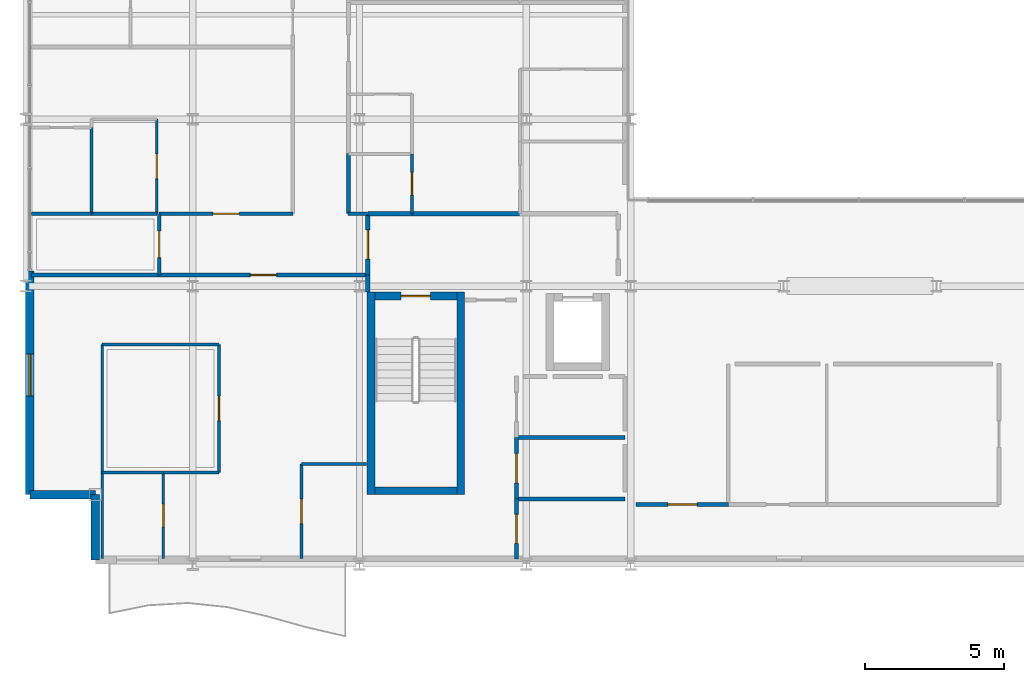
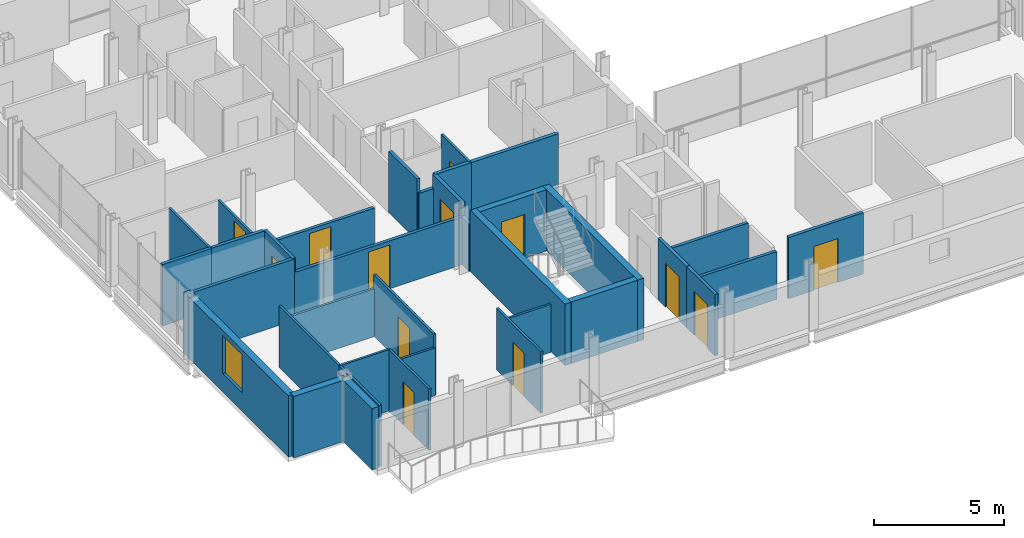
# One storey, part 31 of 41: 36 walls, 13 doors, 1 window, 14 openings.
"""IFC4 building model written with IfcOpenShell, lengths in metres."""

from ifc_helpers import new_model, si_unit, direction, frame, frame_2d, origin, place, context, subcontext, project, spatial, rectangle, extrude, material, layer, layer_set, type_object, element, fill, save


model = new_model("IFC4")

# Units and contexts
model_context = context("Model", 3, precision=1e-05, world=origin(), true_north=direction((0.0, 1.0)))
body_context = subcontext(model_context, "Body", "Model", "MODEL_VIEW")
ifc_project = project(units=[si_unit("LENGTHUNIT", "METRE"), si_unit("AREAUNIT", "SQUARE_METRE"), si_unit("VOLUMEUNIT", "CUBIC_METRE"), si_unit("PLANEANGLEUNIT", "RADIAN"), si_unit("MASSUNIT", "GRAM", prefix="KILO")], contexts=[model_context])

# Site, building, storey
site_placement = place(None, origin())
site = spatial("IfcSite", under=ifc_project, at=site_placement, CompositionType="ELEMENT")
building_placement = place(site_placement, origin())
building = spatial("IfcBuilding", under=site, at=building_placement, Name="Brevholm Reach", CompositionType="ELEMENT")
storey_placement = place(building_placement, frame((0.0, 0.0, 106.60009765625)))
storey = spatial("IfcBuildingStorey", under=building, at=storey_placement, Name="L31", CompositionType="ELEMENT", Elevation=106.60009765625)

# Walls
ifc_material_1 = material(Name="Concrete C50/60", Category="concrete")
ifc_layer_1 = layer(ifc_material_1, 0.280029296875)
ifc_layer_set_1 = layer_set([ifc_layer_1], Name="Concrete C50/60")
wall_type_1 = type_object("IfcWallType", Name="WAL-COR-280", PredefinedType="SHEAR", material=ifc_layer_set_1)
for number, where, z_axis, x_axis, name in (
    (1, (12.409912109375, 2.5, 0.0), (0.0, 0.0, 1.0), (0.0, 1.0, 0.0), "L31 Escape Stair ST-1 Core Wall W"),
    (2, (15.639892578125, 2.5, 0.0), (0.0, 0.0, 1.0), (0.0, 1.0, 0.0), "L31 Escape Stair ST-1 Core Wall E"),
):
    element("IfcWall", number, at=place(storey_placement, frame(where, z_axis=z_axis, x_axis=x_axis)), inside=storey, type_object=wall_type_1, Name=name, PredefinedType="SHEAR", context=body_context, shape_type="SweptSolid", body=[
        extrude(rectangle(XDim=7.280029296875, YDim=0.280029296875, at=frame_2d((3.64013671875, 0.0))), origin(), (0.0, 0.0, 1.0), 2.8798828125),
    ])
wall_1_placement = place(storey_placement, frame((12.550048828125, 2.639892578125, 0.0), z_axis=(0.0, 0.0, 1.0), x_axis=(1.0, 0.0, 0.0)))
element("IfcWall", 3, at=wall_1_placement, inside=storey, type_object=wall_type_1, Name="L31 Escape Stair ST-1 Core Wall S", PredefinedType="SHEAR", context=body_context, shape_type="SweptSolid", body=[
    extrude(rectangle(XDim=2.949951171875, YDim=0.280029296875, at=frame_2d((1.47509765625, 0.0))), origin(), (0.0, 0.0, 1.0), 2.8798828125),
])

# Wall, opening, door
wall_2_placement = place(storey_placement, frame((15.5, 9.639892578125, 0.0), z_axis=(0.0, 0.0, 1.0), x_axis=(-1.0, 0.0, 0.0)))
wall_2 = element("IfcWall", 4, at=wall_2_placement, inside=storey, type_object=wall_type_1, Name="L31 Escape Stair ST-1 Core Wall N", PredefinedType="SHEAR", context=body_context, shape_type="SweptSolid", body=[
    extrude(rectangle(XDim=2.949951171875, YDim=0.280029296875, at=frame_2d((1.47509765625, 0.0))), origin(), (0.0, 0.0, 1.0), 2.8798828125),
])
opening_1_placement = place(wall_2_placement, frame((0.949951171875, 0.0, 0.0)))
opening_1 = element("IfcOpeningElement", 5, at=opening_1_placement, cuts=wall_2, Name="Opening SD-ST-1", PredefinedType="OPENING", context=body_context, shape_type="SweptSolid", body=[
    extrude(rectangle(XDim=1.050048828125, YDim=2.06005859375, at=frame_2d((0.52490234375, 1.030029296875))), frame((0.0, 0.14990234375, 0.0), z_axis=(0.0, -1.0, 0.0), x_axis=(1.0, 0.0, 0.0)), (0.0, 0.0, 1.0), 0.300048828125),
])
ifc_material_2 = material(Name="Hardwood-Lipped Steel-Core Fire and Smoke Door", Category="steel")
door_type_1 = type_object("IfcDoorType", Name="DOR-INT-FD60S", OperationType="NOTDEFINED", PredefinedType="DOOR", material=ifc_material_2)
door_1_placement = place(opening_1_placement, origin())
door_1 = element("IfcDoor", 6, at=door_1_placement, inside=storey, type_object=door_type_1, Name="L31 Protected Stair ST-1 Lobby Door", OperationType="SINGLE_SWING_LEFT", OverallHeight=2.06005859375, OverallWidth=1.050048828125, PredefinedType="DOOR", context=body_context, shape_type="SweptSolid", body=[
    extrude(rectangle(XDim=1.050048828125, YDim=2.06005859375, at=frame_2d((0.52490234375, 1.030029296875))), frame((0.0, 0.02490234375, 0.0), z_axis=(0.0, -1.0, 0.0), x_axis=(1.0, 0.0, 0.0)), (0.0, 0.0, 1.0), 0.050048828125),
])
fill(opening_1, door_1)

# Walls
ifc_material_3 = material(Name="Concrete C40/50", Category="concrete")
ifc_layer_2 = layer(ifc_material_3, 0.300048828125)
ifc_layer_set_2 = layer_set([ifc_layer_2], Name="Concrete C40/50")
wall_type_2 = type_object("IfcWallType", Name="WAL-EXT-300", PredefinedType="STANDARD", material=ifc_layer_set_2)
for number, where, z_axis, x_axis, name in (
    (7, (2.5, 2.5, 0.0), (0.0, 0.0, 1.0), (0.0, -1.0, 0.0), "L31 Facade Wall WAL-L31-CSW1"),
    (8, (0.14990234375, 2.5, 0.0), (0.0, 0.0, 1.0), (1.0, 0.0, 0.0), "L31 Facade Wall WAL-L31-CSW2"),
):
    element("IfcWall", number, at=place(storey_placement, frame(where, z_axis=z_axis, x_axis=x_axis)), inside=storey, type_object=wall_type_2, Name=name, PredefinedType="STANDARD", context=body_context, shape_type="SweptSolid", body=[
        extrude(rectangle(XDim=2.35009765625, YDim=0.300048828125, at=frame_2d((1.175048828125, 0.0))), origin(), (0.0, 0.0, 1.0), 2.8798828125),
    ])

# Wall, opening, window
wall_3_placement = place(storey_placement, frame((0.14990234375, 10.550048828125, 0.0), z_axis=(0.0, 0.0, 1.0), x_axis=(0.0, -1.0, 0.0)))
wall_3 = element("IfcWall", 9, at=wall_3_placement, inside=storey, type_object=wall_type_2, Name="L31 Facade Wall WAL-L31-W-S", PredefinedType="STANDARD", context=body_context, shape_type="SweptSolid", body=[
    extrude(rectangle(XDim=8.050048828125, YDim=0.300048828125, at=frame_2d((4.02490234375, 0.0))), origin(), (0.0, 0.0, 1.0), 2.8798828125),
])
opening_2_placement = place(wall_3_placement, frame((3.0, 0.0, 0.860107421875)))
opening_2 = element("IfcOpeningElement", 10, at=opening_2_placement, cuts=wall_3, Name="Opening WN-05", PredefinedType="OPENING", context=body_context, shape_type="SweptSolid", body=[
    extrude(rectangle(XDim=1.5, YDim=1.800048828125, at=frame_2d((0.75, 0.89990234375))), frame((0.0, 0.159912109375, 0.0), z_axis=(0.0, -1.0, 0.0), x_axis=(1.0, 0.0, 0.0)), (0.0, 0.0, 1.0), 0.320068359375),
])
ifc_material_4 = material(Name="Dark Anodised Aluminium and Solar-Control IGU Glass", Category="aluminium")
window_type = type_object("IfcWindowType", Name="WIN-RES-1500", PartitioningType="SINGLE_PANEL", PredefinedType="WINDOW", material=ifc_material_4)
window_placement = place(opening_2_placement, origin())
window = element("IfcWindow", 11, at=window_placement, inside=storey, type_object=window_type, Name="L31 Window WIN-L31-WS-1", OverallHeight=1.800048828125, OverallWidth=1.5, PartitioningType="SINGLE_PANEL", PredefinedType="WINDOW", context=body_context, shape_type="SweptSolid", body=[
    extrude(rectangle(XDim=1.5, YDim=1.800048828125, at=frame_2d((0.75, 0.89990234375))), frame((0.0, 0.030029296875, 0.0), z_axis=(0.0, -1.0, 0.0), x_axis=(1.0, 0.0, 0.0)), (0.0, 0.0, 1.0), 0.06005859375),
])
fill(opening_2, window)

# Wall
ifc_material_5 = material(Name="Moisture-Resistant Acoustic Gypsum Stud Partition 100 mm", Category="gypsum")
ifc_layer_3 = layer(ifc_material_5, 0.10009765625)
ifc_layer_set_3 = layer_set([ifc_layer_3], Name="Moisture-Resistant Acoustic Gypsum Stud Partition 100 mm")
wall_type_3 = type_object("IfcWallType", Name="WAL-PRT-100", PredefinedType="PARTITIONING", material=ifc_layer_set_3)
wall_4_placement = place(storey_placement, frame((2.75, 3.300048828125, 0.0), z_axis=(0.0, 0.0, 1.0), x_axis=(1.0, 0.0, 0.0)))
element("IfcWall", 12, at=wall_4_placement, inside=storey, type_object=wall_type_3, Name="L31 Internal Partition 067", PredefinedType="PARTITIONING", context=body_context, shape_type="SweptSolid", body=[
    extrude(rectangle(XDim=2.197021484375, YDim=0.10009765625, at=frame_2d((1.0986328125, 0.0))), origin(), (0.0, 0.0, 1.0), 2.8798828125),
])

# Wall, opening, door
wall_5_placement = place(storey_placement, frame((4.947021484375, 0.199951171875, 0.0), z_axis=(0.0, 0.0, 1.0), x_axis=(0.0, 1.0, 0.0)))
wall_5 = element("IfcWall", 13, at=wall_5_placement, inside=storey, type_object=wall_type_3, Name="L31 Internal Partition 068", PredefinedType="PARTITIONING", context=body_context, shape_type="SweptSolid", body=[
    extrude(rectangle(XDim=3.10009765625, YDim=0.10009765625, at=frame_2d((1.550048828125, 0.0))), origin(), (0.0, 0.0, 1.0), 2.8798828125),
])
opening_3_placement = place(wall_5_placement, frame((1.139892578125, 0.0, 0.0)))
opening_3 = element("IfcOpeningElement", 14, at=opening_3_placement, cuts=wall_5, Name="Opening ID-03", PredefinedType="OPENING", context=body_context, shape_type="SweptSolid", body=[
    extrude(rectangle(XDim=0.820068359375, YDim=2.02001953125, at=frame_2d((0.41015625, 1.010009765625))), frame((0.0, 0.06005859375, 0.0), z_axis=(0.0, -1.0, 0.0), x_axis=(1.0, 0.0, 0.0)), (0.0, 0.0, 1.0), 0.1201171875),
])
ifc_material_6 = material(Name="Moisture-Resistant Painted Timber Internal Bathroom Door", Category="wood")
door_type_2 = type_object("IfcDoorType", Name="DOR-BATH-820", OperationType="NOTDEFINED", PredefinedType="DOOR", material=ifc_material_6)
door_2_placement = place(opening_3_placement, origin())
door_2 = element("IfcDoor", 15, at=door_2_placement, inside=storey, type_object=door_type_2, Name="L31 Internal Door 028", OperationType="SINGLE_SWING_LEFT", OverallHeight=2.02001953125, OverallWidth=0.820068359375, PredefinedType="DOOR", context=body_context, shape_type="SweptSolid", body=[
    extrude(rectangle(XDim=0.820068359375, YDim=2.02001953125, at=frame_2d((0.41015625, 1.010009765625))), frame((0.0, 0.02490234375, 0.0), z_axis=(0.0, -1.0, 0.0), x_axis=(1.0, 0.0, 0.0)), (0.0, 0.0, 1.0), 0.050048828125),
])
fill(opening_3, door_2)

# Walls
wall_6_placement = place(storey_placement, frame((2.75, 0.199951171875, 0.0), z_axis=(0.0, 0.0, 1.0), x_axis=(0.0, 1.0, 0.0)))
element("IfcWall", 16, at=wall_6_placement, inside=storey, type_object=wall_type_3, Name="L31 Internal Partition 069", PredefinedType="PARTITIONING", context=body_context, shape_type="SweptSolid", body=[
    extrude(rectangle(XDim=3.10009765625, YDim=0.10009765625, at=frame_2d((1.550048828125, 0.0))), origin(), (0.0, 0.0, 1.0), 2.8798828125),
])
wall_7_placement = place(storey_placement, frame((9.912109375, 3.60009765625, 0.0), z_axis=(0.0, 0.0, 1.0), x_axis=(1.0, 0.0, 0.0)))
element("IfcWall", 17, at=wall_7_placement, inside=storey, type_object=wall_type_3, Name="L31 Internal Partition 070", PredefinedType="PARTITIONING", context=body_context, shape_type="SweptSolid", body=[
    extrude(rectangle(XDim=2.347900390625, YDim=0.10009765625, at=frame_2d((1.173828125, 0.0))), origin(), (0.0, 0.0, 1.0), 2.24267578125),
])

# Wall, opening, door
wall_8_placement = place(storey_placement, frame((9.912109375, 0.199951171875, 0.0), z_axis=(0.0, 0.0, 1.0), x_axis=(0.0, 1.0, 0.0)))
wall_8 = element("IfcWall", 18, at=wall_8_placement, inside=storey, type_object=wall_type_3, Name="L31 Internal Partition 071", PredefinedType="PARTITIONING", context=body_context, shape_type="SweptSolid", body=[
    extrude(rectangle(XDim=3.400146484375, YDim=0.10009765625, at=frame_2d((1.7001953125, 0.0))), origin(), (0.0, 0.0, 1.0), 2.8798828125),
])
opening_4_placement = place(wall_8_placement, frame((1.260009765625, 0.0, 0.0)))
opening_4 = element("IfcOpeningElement", 19, at=opening_4_placement, cuts=wall_8, Name="Opening ID-01", PredefinedType="OPENING", context=body_context, shape_type="SweptSolid", body=[
    extrude(rectangle(XDim=0.8798828125, YDim=2.0400390625, at=frame_2d((0.43994140625, 1.02001953125))), frame((0.0, 0.06005859375, 0.0), z_axis=(0.0, -1.0, 0.0), x_axis=(1.0, 0.0, 0.0)), (0.0, 0.0, 1.0), 0.1201171875),
])
ifc_material_7 = material(Name="Lacquered Ash Solid-Core Acoustic Internal Door", Category="timber")
door_type_3 = type_object("IfcDoorType", Name="DOR-INT-880", OperationType="NOTDEFINED", PredefinedType="DOOR", material=ifc_material_7)
door_3_placement = place(opening_4_placement, origin())
door_3 = element("IfcDoor", 20, at=door_3_placement, inside=storey, type_object=door_type_3, Name="L31 Internal Door 029", OperationType="SINGLE_SWING_RIGHT", OverallHeight=2.0400390625, OverallWidth=0.8798828125, PredefinedType="DOOR", context=body_context, shape_type="SweptSolid", body=[
    extrude(rectangle(XDim=0.8798828125, YDim=2.0400390625, at=frame_2d((0.43994140625, 1.02001953125))), frame((0.0, 0.02490234375, 0.0), z_axis=(0.0, -1.0, 0.0), x_axis=(1.0, 0.0, 0.0)), (0.0, 0.0, 1.0), 0.050048828125),
])
fill(opening_4, door_3)

# Wall
wall_9_placement = place(storey_placement, frame((4.950927734375, 3.300048828125, 0.0), z_axis=(0.0, 0.0, 1.0), x_axis=(1.0, 0.0, 0.0)))
element("IfcWall", 21, at=wall_9_placement, inside=storey, type_object=wall_type_3, Name="L31 Internal Partition 072", PredefinedType="PARTITIONING", context=body_context, shape_type="SweptSolid", body=[
    extrude(rectangle(XDim=1.9990234375, YDim=0.10009765625, at=frame_2d((0.99951171875, 0.0))), origin(), (0.0, 0.0, 1.0), 2.24267578125),
])

# Wall, opening, door
wall_10_placement = place(storey_placement, frame((6.949951171875, 3.300048828125, 0.0), z_axis=(0.0, 0.0, 1.0), x_axis=(0.0, 1.0, 0.0)))
wall_10 = element("IfcWall", 22, at=wall_10_placement, inside=storey, type_object=wall_type_3, Name="L31 Internal Partition 073", PredefinedType="PARTITIONING", context=body_context, shape_type="SweptSolid", body=[
    extrude(rectangle(XDim=4.599853515625, YDim=0.10009765625, at=frame_2d((2.2998046875, 0.0))), origin(), (0.0, 0.0, 1.0), 2.8798828125),
])
opening_5_placement = place(wall_10_placement, frame((1.860107421875, 0.0, 0.0)))
opening_5 = element("IfcOpeningElement", 23, at=opening_5_placement, cuts=wall_10, Name="Opening ID-01", PredefinedType="OPENING", context=body_context, shape_type="SweptSolid", body=[
    extrude(rectangle(XDim=0.8798828125, YDim=2.0400390625, at=frame_2d((0.43994140625, 1.02001953125))), frame((0.0, 0.06005859375, 0.0), z_axis=(0.0, -1.0, 0.0), x_axis=(1.0, 0.0, 0.0)), (0.0, 0.0, 1.0), 0.1201171875),
])
door_4_placement = place(opening_5_placement, origin())
door_4 = element("IfcDoor", 24, at=door_4_placement, inside=storey, type_object=door_type_3, Name="L31 Internal Door 030", OperationType="SINGLE_SWING_LEFT", OverallHeight=2.0400390625, OverallWidth=0.8798828125, PredefinedType="DOOR", context=body_context, shape_type="SweptSolid", body=[
    extrude(rectangle(XDim=0.8798828125, YDim=2.0400390625, at=frame_2d((0.43994140625, 1.02001953125))), frame((0.0, 0.02490234375, 0.0), z_axis=(0.0, -1.0, 0.0), x_axis=(1.0, 0.0, 0.0)), (0.0, 0.0, 1.0), 0.050048828125),
])
fill(opening_5, door_4)

# Walls
wall_11_placement = place(storey_placement, frame((2.75, 7.89990234375, 0.0), z_axis=(0.0, 0.0, 1.0), x_axis=(1.0, 0.0, 0.0)))
element("IfcWall", 25, at=wall_11_placement, inside=storey, type_object=wall_type_3, Name="L31 Internal Partition 074", PredefinedType="PARTITIONING", context=body_context, shape_type="SweptSolid", body=[
    extrude(rectangle(XDim=4.199951171875, YDim=0.10009765625, at=frame_2d((2.10009765625, 0.0))), origin(), (0.0, 0.0, 1.0), 2.24267578125),
])
wall_12_placement = place(storey_placement, frame((2.75, 3.303955078125, 0.0), z_axis=(0.0, 0.0, 1.0), x_axis=(0.0, 1.0, 0.0)))
element("IfcWall", 26, at=wall_12_placement, inside=storey, type_object=wall_type_3, Name="L31 Internal Partition 075", PredefinedType="PARTITIONING", context=body_context, shape_type="SweptSolid", body=[
    extrude(rectangle(XDim=4.595947265625, YDim=0.10009765625, at=frame_2d((2.2978515625, 0.0))), origin(), (0.0, 0.0, 1.0), 2.8798828125),
])
wall_13_placement = place(storey_placement, frame((2.362060546875, 12.60400390625, 0.0), z_axis=(0.0, 0.0, 1.0), x_axis=(0.0, 1.0, 0.0)))
element("IfcWall", 27, at=wall_13_placement, inside=storey, type_object=wall_type_3, Name="L31 Internal Partition 091", PredefinedType="PARTITIONING", context=body_context, shape_type="SweptSolid", body=[
    extrude(rectangle(XDim=3.095947265625, YDim=0.10009765625, at=frame_2d((1.5478515625, 0.0))), origin(), (0.0, 0.0, 1.0), 2.8798828125),
])

# Wall, opening, door
wall_14_placement = place(storey_placement, frame((4.7119140625, 12.60400390625, 0.0), z_axis=(0.0, 0.0, 1.0), x_axis=(0.0, 1.0, 0.0)))
wall_14 = element("IfcWall", 28, at=wall_14_placement, inside=storey, type_object=wall_type_3, Name="L31 Internal Partition 093", PredefinedType="PARTITIONING", context=body_context, shape_type="SweptSolid", body=[
    extrude(rectangle(XDim=3.39599609375, YDim=0.10009765625, at=frame_2d((1.697998046875, 0.0))), origin(), (0.0, 0.0, 1.0), 2.24267578125),
])
opening_6_placement = place(wall_14_placement, frame((1.258056640625, 0.0, 0.0)))
opening_6 = element("IfcOpeningElement", 29, at=opening_6_placement, cuts=wall_14, Name="Opening ID-01", PredefinedType="OPENING", context=body_context, shape_type="SweptSolid", body=[
    extrude(rectangle(XDim=0.8798828125, YDim=2.0400390625, at=frame_2d((0.43994140625, 1.02001953125))), frame((0.0, 0.06005859375, 0.0), z_axis=(0.0, -1.0, 0.0), x_axis=(1.0, 0.0, 0.0)), (0.0, 0.0, 1.0), 0.1201171875),
])
door_5_placement = place(opening_6_placement, origin())
door_5 = element("IfcDoor", 30, at=door_5_placement, inside=storey, type_object=door_type_3, Name="L31 Internal Door 036", OperationType="SINGLE_SWING_LEFT", OverallHeight=2.0400390625, OverallWidth=0.8798828125, PredefinedType="DOOR", context=body_context, shape_type="SweptSolid", body=[
    extrude(rectangle(XDim=0.8798828125, YDim=2.0400390625, at=frame_2d((0.43994140625, 1.02001953125))), frame((0.0, 0.02490234375, 0.0), z_axis=(0.0, -1.0, 0.0), x_axis=(1.0, 0.0, 0.0)), (0.0, 0.0, 1.0), 0.050048828125),
])
fill(opening_6, door_5)

wall_15_placement = place(storey_placement, frame((13.888916015625, 12.60400390625, 0.0), z_axis=(0.0, 0.0, 1.0), x_axis=(0.0, 1.0, 0.0)))
wall_15 = element("IfcWall", 31, at=wall_15_placement, inside=storey, type_object=wall_type_3, Name="L31 Internal Partition 114", PredefinedType="PARTITIONING", context=body_context, shape_type="SweptSolid", body=[
    extrude(rectangle(XDim=2.14599609375, YDim=0.10009765625, at=frame_2d((1.072998046875, 0.0))), origin(), (0.0, 0.0, 1.0), 2.8798828125),
])
opening_7_placement = place(wall_15_placement, frame((0.6630859375, 0.0, 0.0)))
opening_7 = element("IfcOpeningElement", 32, at=opening_7_placement, cuts=wall_15, Name="Opening ID-03", PredefinedType="OPENING", context=body_context, shape_type="SweptSolid", body=[
    extrude(rectangle(XDim=0.820068359375, YDim=2.02001953125, at=frame_2d((0.41015625, 1.010009765625))), frame((0.0, 0.06005859375, 0.0), z_axis=(0.0, -1.0, 0.0), x_axis=(1.0, 0.0, 0.0)), (0.0, 0.0, 1.0), 0.1201171875),
])
door_6_placement = place(opening_7_placement, origin())
door_6 = element("IfcDoor", 33, at=door_6_placement, inside=storey, type_object=door_type_2, Name="L31 Internal Door 043", OperationType="SINGLE_SWING_RIGHT", OverallHeight=2.02001953125, OverallWidth=0.820068359375, PredefinedType="DOOR", context=body_context, shape_type="SweptSolid", body=[
    extrude(rectangle(XDim=0.820068359375, YDim=2.02001953125, at=frame_2d((0.41015625, 1.010009765625))), frame((0.0, 0.02490234375, 0.0), z_axis=(0.0, -1.0, 0.0), x_axis=(1.0, 0.0, 0.0)), (0.0, 0.0, 1.0), 0.050048828125),
])
fill(opening_7, door_6)

ifc_material_8 = material(Name="Twin-Stud Acoustic Fire-Rated Gypsum Partition 140 mm", Category="gypsum")
ifc_layer_4 = layer(ifc_material_8, 0.139892578125)
ifc_layer_set_4 = layer_set([ifc_layer_4], Name="Twin-Stud Acoustic Fire-Rated Gypsum Partition 140 mm")
wall_type_4 = type_object("IfcWallType", Name="WAL-PRT-140", PredefinedType="PARTITIONING", material=ifc_layer_set_4)
wall_16_placement = place(storey_placement, frame((21.949951171875, 2.14990234375, 0.0), z_axis=(0.0, 0.0, 1.0), x_axis=(1.0, 0.0, 0.0)))
wall_16 = element("IfcWall", 34, at=wall_16_placement, inside=storey, type_object=wall_type_4, Name="L31 Internal Partition 002", PredefinedType="PARTITIONING", context=body_context, shape_type="SweptSolid", body=[
    extrude(rectangle(XDim=3.3212890625, YDim=0.139892578125, at=frame_2d((1.66064453125, 0.0))), origin(), (0.0, 0.0, 1.0), 2.8798828125),
])
opening_8_placement = place(wall_16_placement, frame((1.1357421875, 0.0, 0.0)))
opening_8 = element("IfcOpeningElement", 35, at=opening_8_placement, cuts=wall_16, Name="Opening FD-01", PredefinedType="OPENING", context=body_context, shape_type="SweptSolid", body=[
    extrude(rectangle(XDim=1.050048828125, YDim=2.06005859375, at=frame_2d((0.52490234375, 1.030029296875))), frame((0.0, 0.079833984375, 0.0), z_axis=(0.0, -1.0, 0.0), x_axis=(1.0, 0.0, 0.0)), (0.0, 0.0, 1.0), 0.159912109375),
])
door_7_placement = place(opening_8_placement, origin())
door_7 = element("IfcDoor", 36, at=door_7_placement, inside=storey, type_object=door_type_1, Name="L31 Internal Door 002", OperationType="SINGLE_SWING_LEFT", OverallHeight=2.06005859375, OverallWidth=1.050048828125, PredefinedType="DOOR", context=body_context, shape_type="SweptSolid", body=[
    extrude(rectangle(XDim=1.050048828125, YDim=2.06005859375, at=frame_2d((0.52490234375, 1.030029296875))), frame((0.0, 0.02490234375, 0.0), z_axis=(0.0, -1.0, 0.0), x_axis=(1.0, 0.0, 0.0)), (0.0, 0.0, 1.0), 0.050048828125),
])
fill(opening_8, door_7)

wall_17_placement = place(storey_placement, frame((17.64990234375, 0.179931640625, 0.0), z_axis=(0.0, 0.0, 1.0), x_axis=(0.0, 1.0, 0.0)))
wall_17 = element("IfcWall", 37, at=wall_17_placement, inside=storey, type_object=wall_type_4, Name="L31 Internal Partition 007", PredefinedType="PARTITIONING", context=body_context, shape_type="SweptSolid", body=[
    extrude(rectangle(XDim=2.181396484375, YDim=0.139892578125, at=frame_2d((1.0908203125, 0.0))), origin(), (0.0, 0.0, 1.0), 2.8798828125),
])
opening_9_placement = place(wall_17_placement, frame((0.565673828125, 0.0, 0.0)))
opening_9 = element("IfcOpeningElement", 38, at=opening_9_placement, cuts=wall_17, Name="Opening FD-01", PredefinedType="OPENING", context=body_context, shape_type="SweptSolid", body=[
    extrude(rectangle(XDim=1.050048828125, YDim=2.06005859375, at=frame_2d((0.52490234375, 1.030029296875))), frame((0.0, 0.079833984375, 0.0), z_axis=(0.0, -1.0, 0.0), x_axis=(1.0, 0.0, 0.0)), (0.0, 0.0, 1.0), 0.159912109375),
])
door_8_placement = place(opening_9_placement, origin())
door_8 = element("IfcDoor", 39, at=door_8_placement, inside=storey, type_object=door_type_1, Name="L31 Internal Door 004", OperationType="SINGLE_SWING_LEFT", OverallHeight=2.06005859375, OverallWidth=1.050048828125, PredefinedType="DOOR", context=body_context, shape_type="SweptSolid", body=[
    extrude(rectangle(XDim=1.050048828125, YDim=2.06005859375, at=frame_2d((0.52490234375, 1.030029296875))), frame((0.0, 0.02490234375, 0.0), z_axis=(0.0, -1.0, 0.0), x_axis=(1.0, 0.0, 0.0)), (0.0, 0.0, 1.0), 0.050048828125),
])
fill(opening_9, door_8)

wall_18_placement = place(storey_placement, frame((17.64990234375, 2.3427734375, 0.0), z_axis=(0.0, 0.0, 1.0), x_axis=(0.0, 1.0, 0.0)))
wall_18 = element("IfcWall", 40, at=wall_18_placement, inside=storey, type_object=wall_type_4, Name="L31 Internal Partition 008", PredefinedType="PARTITIONING", context=body_context, shape_type="SweptSolid", body=[
    extrude(rectangle(XDim=2.218505859375, YDim=0.139892578125, at=frame_2d((1.109375, 0.0))), origin(), (0.0, 0.0, 1.0), 2.8798828125),
])
opening_10_placement = place(wall_18_placement, frame((0.584228515625, 0.0, 0.0)))
opening_10 = element("IfcOpeningElement", 41, at=opening_10_placement, cuts=wall_18, Name="Opening FD-01", PredefinedType="OPENING", context=body_context, shape_type="SweptSolid", body=[
    extrude(rectangle(XDim=1.050048828125, YDim=2.06005859375, at=frame_2d((0.52490234375, 1.030029296875))), frame((0.0, 0.079833984375, 0.0), z_axis=(0.0, -1.0, 0.0), x_axis=(1.0, 0.0, 0.0)), (0.0, 0.0, 1.0), 0.159912109375),
])
door_9_placement = place(opening_10_placement, origin())
door_9 = element("IfcDoor", 42, at=door_9_placement, inside=storey, type_object=door_type_1, Name="L31 Internal Door 005", OperationType="SINGLE_SWING_RIGHT", OverallHeight=2.06005859375, OverallWidth=1.050048828125, PredefinedType="DOOR", context=body_context, shape_type="SweptSolid", body=[
    extrude(rectangle(XDim=1.050048828125, YDim=2.06005859375, at=frame_2d((0.52490234375, 1.030029296875))), frame((0.0, 0.02490234375, 0.0), z_axis=(0.0, -1.0, 0.0), x_axis=(1.0, 0.0, 0.0)), (0.0, 0.0, 1.0), 0.050048828125),
])
fill(opening_10, door_9)

# Walls
for number, where, z_axis, x_axis, name in (
    (43, (17.654052734375, 2.35009765625, 0.0), (0.0, 0.0, 1.0), (1.0, 0.0, 0.0), "L31 Internal Partition 011"),
    (44, (17.654052734375, 4.550048828125, 0.0), (0.0, 0.0, 1.0), (1.0, 0.0, 0.0), "L31 Internal Partition 012"),
):
    element("IfcWall", number, at=place(storey_placement, frame(where, z_axis=z_axis, x_axis=x_axis)), inside=storey, type_object=wall_type_4, Name=name, PredefinedType="PARTITIONING", context=body_context, shape_type="SweptSolid", body=[
        extrude(rectangle(XDim=3.89599609375, YDim=0.139892578125, at=frame_2d((1.947998046875, 0.0))), origin(), (0.0, 0.0, 1.0), 2.24267578125),
    ])

# Wall, opening, door
wall_19_placement = place(storey_placement, frame((4.800048828125, 10.39990234375, 0.0), z_axis=(0.0, 0.0, 1.0), x_axis=(1.0, 0.0, 0.0)))
wall_19 = element("IfcWall", 45, at=wall_19_placement, inside=storey, type_object=wall_type_4, Name="L31 Internal Partition 027", PredefinedType="PARTITIONING", context=body_context, shape_type="SweptSolid", body=[
    extrude(rectangle(XDim=7.495849609375, YDim=0.139892578125, at=frame_2d((3.748046875, 0.0))), origin(), (0.0, 0.0, 1.0), 2.24267578125),
])
opening_11_placement = place(wall_19_placement, frame((3.27294921875, 0.0, 0.0)))
opening_11 = element("IfcOpeningElement", 46, at=opening_11_placement, cuts=wall_19, Name="Opening ID-30", PredefinedType="OPENING", context=body_context, shape_type="SweptSolid", body=[
    extrude(rectangle(XDim=0.949951171875, YDim=2.050048828125, at=frame_2d((0.47509765625, 1.02490234375))), frame((0.0, 0.079833984375, 0.0), z_axis=(0.0, -1.0, 0.0), x_axis=(1.0, 0.0, 0.0)), (0.0, 0.0, 1.0), 0.159912109375),
])
ifc_material_9 = material(Name="European Oak Veneered Solid-Core Fire Entrance Door", Category="timber")
door_type_4 = type_object("IfcDoorType", Name="DOR-FLT-FD30S", OperationType="NOTDEFINED", PredefinedType="DOOR", material=ifc_material_9)
door_10_placement = place(opening_11_placement, origin())
door_10 = element("IfcDoor", 47, at=door_10_placement, inside=storey, type_object=door_type_4, Name="L31 Internal Door 015", OperationType="SINGLE_SWING_RIGHT", OverallHeight=2.050048828125, OverallWidth=0.949951171875, PredefinedType="DOOR", context=body_context, shape_type="SweptSolid", body=[
    extrude(rectangle(XDim=0.949951171875, YDim=2.050048828125, at=frame_2d((0.47509765625, 1.02490234375))), frame((0.0, 0.02490234375, 0.0), z_axis=(0.0, -1.0, 0.0), x_axis=(1.0, 0.0, 0.0)), (0.0, 0.0, 1.0), 0.050048828125),
])
fill(opening_11, door_10)

wall_20_placement = place(storey_placement, frame((4.800048828125, 10.39990234375, 0.0), z_axis=(0.0, 0.0, 1.0), x_axis=(0.0, 1.0, 0.0)))
wall_20 = element("IfcWall", 48, at=wall_20_placement, inside=storey, type_object=wall_type_4, Name="L31 Internal Partition 028", PredefinedType="PARTITIONING", context=body_context, shape_type="SweptSolid", body=[
    extrude(rectangle(XDim=2.2001953125, YDim=0.139892578125, at=frame_2d((1.10009765625, 0.0))), origin(), (0.0, 0.0, 1.0), 2.8798828125),
])
opening_12_placement = place(wall_20_placement, frame((0.625, 0.0, 0.0)))
opening_12 = element("IfcOpeningElement", 49, at=opening_12_placement, cuts=wall_20, Name="Opening ID-30", PredefinedType="OPENING", context=body_context, shape_type="SweptSolid", body=[
    extrude(rectangle(XDim=0.949951171875, YDim=2.050048828125, at=frame_2d((0.47509765625, 1.02490234375))), frame((0.0, 0.079833984375, 0.0), z_axis=(0.0, -1.0, 0.0), x_axis=(1.0, 0.0, 0.0)), (0.0, 0.0, 1.0), 0.159912109375),
])
door_11_placement = place(opening_12_placement, origin())
door_11 = element("IfcDoor", 50, at=door_11_placement, inside=storey, type_object=door_type_4, Name="L31 Internal Door 016", OperationType="SINGLE_SWING_LEFT", OverallHeight=2.050048828125, OverallWidth=0.949951171875, PredefinedType="DOOR", context=body_context, shape_type="SweptSolid", body=[
    extrude(rectangle(XDim=0.949951171875, YDim=2.050048828125, at=frame_2d((0.47509765625, 1.02490234375))), frame((0.0, 0.02490234375, 0.0), z_axis=(0.0, -1.0, 0.0), x_axis=(1.0, 0.0, 0.0)), (0.0, 0.0, 1.0), 0.050048828125),
])
fill(opening_12, door_11)

wall_21_placement = place(storey_placement, frame((4.800048828125, 12.60009765625, 0.0), z_axis=(0.0, 0.0, 1.0), x_axis=(1.0, 0.0, 0.0)))
wall_21 = element("IfcWall", 51, at=wall_21_placement, inside=storey, type_object=wall_type_4, Name="L31 Internal Partition 029", PredefinedType="PARTITIONING", context=body_context, shape_type="SweptSolid", body=[
    extrude(rectangle(XDim=4.807373046875, YDim=0.139892578125, at=frame_2d((2.40380859375, 0.0))), origin(), (0.0, 0.0, 1.0), 2.24267578125),
])
opening_13_placement = place(wall_21_placement, frame((1.9287109375, 0.0, 0.0)))
opening_13 = element("IfcOpeningElement", 52, at=opening_13_placement, cuts=wall_21, Name="Opening ID-30", PredefinedType="OPENING", context=body_context, shape_type="SweptSolid", body=[
    extrude(rectangle(XDim=0.949951171875, YDim=2.050048828125, at=frame_2d((0.47509765625, 1.02490234375))), frame((0.0, 0.079833984375, 0.0), z_axis=(0.0, -1.0, 0.0), x_axis=(1.0, 0.0, 0.0)), (0.0, 0.0, 1.0), 0.159912109375),
])
door_12_placement = place(opening_13_placement, origin())
door_12 = element("IfcDoor", 53, at=door_12_placement, inside=storey, type_object=door_type_4, Name="L31 Internal Door 017", OperationType="SINGLE_SWING_RIGHT", OverallHeight=2.050048828125, OverallWidth=0.949951171875, PredefinedType="DOOR", context=body_context, shape_type="SweptSolid", body=[
    extrude(rectangle(XDim=0.949951171875, YDim=2.050048828125, at=frame_2d((0.47509765625, 1.02490234375))), frame((0.0, 0.02490234375, 0.0), z_axis=(0.0, -1.0, 0.0), x_axis=(1.0, 0.0, 0.0)), (0.0, 0.0, 1.0), 0.050048828125),
])
fill(opening_13, door_12)

# Walls
wall_22_placement = place(storey_placement, frame((11.5927734375, 12.60009765625, 0.0), z_axis=(0.0, 0.0, 1.0), x_axis=(1.0, 0.0, 0.0)))
element("IfcWall", 54, at=wall_22_placement, inside=storey, type_object=wall_type_4, Name="L31 Internal Partition 030", PredefinedType="PARTITIONING", context=body_context, shape_type="SweptSolid", body=[
    extrude(rectangle(XDim=0.703125, YDim=0.139892578125, at=frame_2d((0.3515625, 0.0))), origin(), (0.0, 0.0, 1.0), 2.24267578125),
])
wall_23_placement = place(storey_placement, frame((11.60009765625, 12.60400390625, 0.0), z_axis=(0.0, 0.0, 1.0), x_axis=(0.0, 1.0, 0.0)))
element("IfcWall", 55, at=wall_23_placement, inside=storey, type_object=wall_type_4, Name="L31 Internal Partition 042", PredefinedType="PARTITIONING", context=body_context, shape_type="SweptSolid", body=[
    extrude(rectangle(XDim=2.1572265625, YDim=0.139892578125, at=frame_2d((1.07861328125, 0.0))), origin(), (0.0, 0.0, 1.0), 2.8798828125),
])
wall_24_placement = place(storey_placement, frame((0.199951171875, 10.39990234375, 0.0), z_axis=(0.0, 0.0, 1.0), x_axis=(1.0, 0.0, 0.0)))
element("IfcWall", 56, at=wall_24_placement, inside=storey, type_object=wall_type_4, Name="L31 Internal Partition 076", PredefinedType="PARTITIONING", context=body_context, shape_type="SweptSolid", body=[
    extrude(rectangle(XDim=4.595947265625, YDim=0.139892578125, at=frame_2d((2.2978515625, 0.0))), origin(), (0.0, 0.0, 1.0), 2.8798828125),
])
wall_25_placement = place(storey_placement, frame((0.199951171875, 12.60009765625, 0.0), z_axis=(0.0, 0.0, 1.0), x_axis=(1.0, 0.0, 0.0)))
element("IfcWall", 57, at=wall_25_placement, inside=storey, type_object=wall_type_4, Name="L31 Internal Partition 077", PredefinedType="PARTITIONING", context=body_context, shape_type="SweptSolid", body=[
    extrude(rectangle(XDim=2.17333984375, YDim=0.139892578125, at=frame_2d((1.086669921875, 0.0))), origin(), (0.0, 0.0, 1.0), 2.8798828125),
])
wall_26_placement = place(storey_placement, frame((2.354736328125, 12.60009765625, 0.0), z_axis=(0.0, 0.0, 1.0), x_axis=(1.0, 0.0, 0.0)))
element("IfcWall", 58, at=wall_26_placement, inside=storey, type_object=wall_type_4, Name="L31 Internal Partition 078", PredefinedType="PARTITIONING", context=body_context, shape_type="SweptSolid", body=[
    extrude(rectangle(XDim=2.36865234375, YDim=0.139892578125, at=frame_2d((1.184326171875, 0.0))), origin(), (0.0, 0.0, 1.0), 2.8798828125),
])

# Wall, opening, door
ifc_material_10 = material(Name="Twin-Frame Fire-Rated Gypsum Board and Mineral Wool 160 mm", Category="gypsum")
ifc_layer_5 = layer(ifc_material_10, 0.159912109375)
ifc_layer_set_5 = layer_set([ifc_layer_5], Name="Twin-Frame Fire-Rated Gypsum Board and Mineral Wool 160 mm")
wall_type_5 = type_object("IfcWallType", Name="WAL-PRT-160", PredefinedType="PARTITIONING", material=ifc_layer_set_5)
wall_27_placement = place(storey_placement, frame((12.300048828125, 10.388671875, 0.0), z_axis=(0.0, 0.0, 1.0), x_axis=(0.0, 1.0, 0.0)))
wall_27 = element("IfcWall", 59, at=wall_27_placement, inside=storey, type_object=wall_type_5, Name="L31 Internal Partition 017", PredefinedType="PARTITIONING", context=body_context, shape_type="SweptSolid", body=[
    extrude(rectangle(XDim=2.21142578125, YDim=0.159912109375, at=frame_2d((1.105712890625, 0.0))), origin(), (0.0, 0.0, 1.0), 2.8798828125),
])
opening_14_placement = place(wall_27_placement, frame((0.58056640625, 0.0, 0.0)))
opening_14 = element("IfcOpeningElement", 60, at=opening_14_placement, cuts=wall_27, Name="Opening FD-01", PredefinedType="OPENING", context=body_context, shape_type="SweptSolid", body=[
    extrude(rectangle(XDim=1.050048828125, YDim=2.06005859375, at=frame_2d((0.52490234375, 1.030029296875))), frame((0.0, 0.08984375, 0.0), z_axis=(0.0, -1.0, 0.0), x_axis=(1.0, 0.0, 0.0)), (0.0, 0.0, 1.0), 0.179931640625),
])
door_13_placement = place(opening_14_placement, origin())
door_13 = element("IfcDoor", 61, at=door_13_placement, inside=storey, type_object=door_type_1, Name="L31 Internal Door 011", OperationType="SINGLE_SWING_RIGHT", OverallHeight=2.06005859375, OverallWidth=1.050048828125, PredefinedType="DOOR", context=body_context, shape_type="SweptSolid", body=[
    extrude(rectangle(XDim=1.050048828125, YDim=2.06005859375, at=frame_2d((0.52490234375, 1.030029296875))), frame((0.0, 0.02490234375, 0.0), z_axis=(0.0, -1.0, 0.0), x_axis=(1.0, 0.0, 0.0)), (0.0, 0.0, 1.0), 0.050048828125),
])
fill(opening_14, door_13)

# Walls
wall_28_placement = place(storey_placement, frame((12.300048828125, 9.7900390625, 0.0), z_axis=(0.0, 0.0, 1.0), x_axis=(0.0, 1.0, 0.0)))
element("IfcWall", 62, at=wall_28_placement, inside=storey, type_object=wall_type_5, Name="L31 Internal Partition 019", PredefinedType="PARTITIONING", context=body_context, shape_type="SweptSolid", body=[
    extrude(rectangle(XDim=0.6171875, YDim=0.159912109375, at=frame_2d((0.30859375, 0.0))), origin(), (0.0, 0.0, 1.0), 2.24267578125),
])
wall_29_placement = place(storey_placement, frame((12.300048828125, 12.60009765625, 0.0), z_axis=(0.0, 0.0, 1.0), x_axis=(1.0, 0.0, 0.0)))
element("IfcWall", 63, at=wall_29_placement, inside=storey, type_object=wall_type_5, Name="L31 Internal Partition 020", PredefinedType="PARTITIONING", context=body_context, shape_type="SweptSolid", body=[
    extrude(rectangle(XDim=1.600341796875, YDim=0.159912109375, at=frame_2d((0.80029296875, 0.0))), origin(), (0.0, 0.0, 1.0), 2.8798828125),
])
wall_30_placement = place(storey_placement, frame((13.881591796875, 12.60009765625, 0.0), z_axis=(0.0, 0.0, 1.0), x_axis=(1.0, 0.0, 0.0)))
element("IfcWall", 64, at=wall_30_placement, inside=storey, type_object=wall_type_5, Name="L31 Internal Partition 022", PredefinedType="PARTITIONING", context=body_context, shape_type="SweptSolid", body=[
    extrude(rectangle(XDim=3.894775390625, YDim=0.159912109375, at=frame_2d((1.947265625, 0.0))), origin(), (0.0, 0.0, 1.0), 2.8798828125),
])

save(model, "model.ifc")
